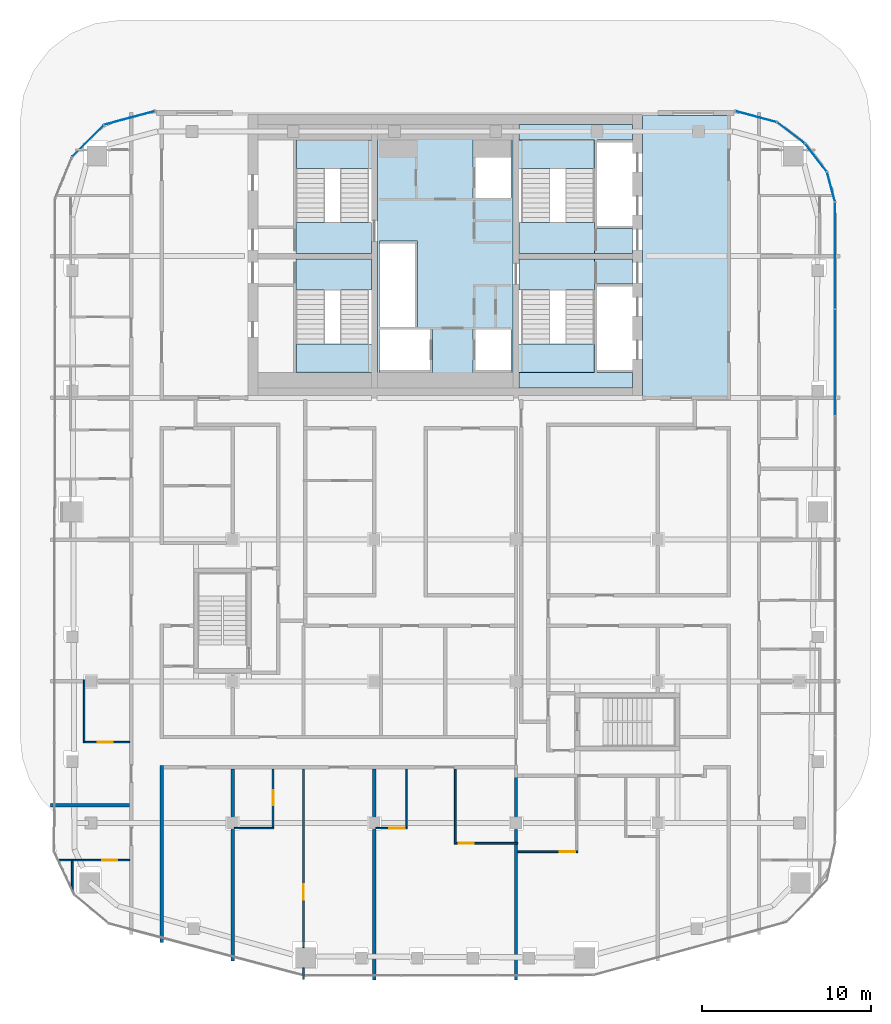
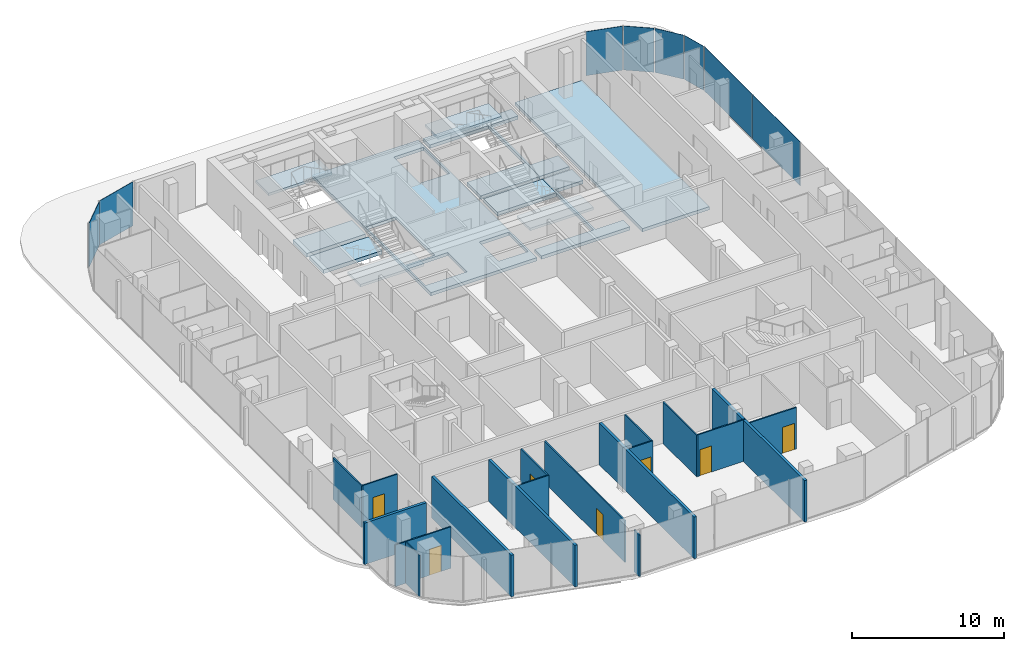
# One storey, part 13 of 21: 18 walls, 12 slabs, 8 plates, 7 doors, 7 openings, 11 elements without a shape of their own.
"""IFC4 building model written with IfcOpenShell, lengths in metres."""

from ifc_helpers import new_model, si_unit, direction, frame, frame_2d, origin, origin_2d, place, context, subcontext, project, spatial, polyline, rectangle, outline, extrude, material, layer, layer_set, type_object, element, fill, aggregate, save


model = new_model("IFC4")

# Units and contexts
model_context = context("Model", 3, precision=1e-05, world=origin(), true_north=direction((0.0, 1.0)))
body_context = subcontext(model_context, "Body", "Model", "MODEL_VIEW")
ifc_project = project(units=[si_unit("LENGTHUNIT", "METRE"), si_unit("AREAUNIT", "SQUARE_METRE"), si_unit("VOLUMEUNIT", "CUBIC_METRE"), si_unit("PLANEANGLEUNIT", "RADIAN"), si_unit("MASSUNIT", "GRAM", prefix="KILO")], contexts=[model_context])

# Site, building, storey
site_placement = place(None, origin())
site = spatial("IfcSite", under=ifc_project, at=site_placement, CompositionType="ELEMENT")
building_placement = place(site_placement, origin())
building = spatial("IfcBuilding", under=site, at=building_placement, Name="Marenta Gate Hotel Tower", CompositionType="ELEMENT")
storey_placement = place(building_placement, frame((0.0, 0.0, 266.89990234375)))
storey = spatial("IfcBuildingStorey", under=building, at=storey_placement, Name="L61", CompositionType="ELEMENT", Elevation=266.89990234375)

# Slabs
ifc_material_1 = material(Name="Concrete C40", Category="concrete")
ifc_layer_1 = layer(ifc_material_1, 0.260009765625)
ifc_layer_set_1 = layer_set([ifc_layer_1], Name="Concrete C40")
slab_type_1 = type_object("IfcSlabType", Name="Core floor slab 260", PredefinedType="FLOOR", material=ifc_layer_set_1)
slab_1_placement = place(storey_placement, frame((0.0, 0.0, -0.260009765625)))
element("IfcSlab", 1, at=slab_1_placement, inside=storey, type_object=slab_type_1, Name="L61-CF-1", PredefinedType="FLOOR", context=body_context, shape_type="SweptSolid", body=[
    extrude(outline(polyline([(11.699951171875, 16.75), (16.800048828125, 16.75), (16.800048828125, 0.0), (11.699951171875, 0.0), (11.699951171875, 16.75)])), origin(), (0.0, 0.0, 1.0), 0.260009765625),
])
slab_2_placement = place(storey_placement, frame((0.0, 0.0, -0.260009765625)))
element("IfcSlab", 2, at=slab_2_placement, inside=storey, type_object=slab_type_1, Name="L61-CF-2", PredefinedType="FLOOR", context=body_context, shape_type="SweptSolid", body=[
    extrude(outline(polyline([(8.85009765625, 6.39990234375), (8.85009765625, 8.10009765625), (8.85009765625, 8.22509765625), (11.10009765625, 8.22509765625), (11.10009765625, 6.75), (9.0, 6.75), (9.0, 6.60009765625), (9.0, 4.199951171875), (9.0, 4.050048828125), (9.0, 1.64990234375), (9.0, 1.5), (11.10009765625, 1.5), (11.10009765625, 0.60009765625), (4.375, 0.60009765625), (4.375, 1.5), (8.85009765625, 1.5), (8.85009765625, 6.39990234375)])), origin(), (0.0, 0.0, 1.0), 0.260009765625),
])
slab_3_placement = place(storey_placement, frame((0.0, 0.0, -0.260009765625)))
element("IfcSlab", 3, at=slab_3_placement, inside=storey, type_object=slab_type_1, Name="L61-CF-3", PredefinedType="FLOOR", context=body_context, shape_type="SweptSolid", body=[
    extrude(outline(polyline([(8.85009765625, 15.300048828125), (4.375, 15.300048828125), (4.375, 16.199951171875), (11.10009765625, 16.199951171875), (11.10009765625, 15.300048828125), (9.0, 15.300048828125), (9.0, 15.14990234375), (9.0, 12.75), (9.0, 12.60009765625), (9.0, 10.199951171875), (9.0, 10.050048828125), (11.10009765625, 10.050048828125), (11.10009765625, 8.574951171875), (8.85009765625, 8.574951171875), (8.85009765625, 8.699951171875), (8.85009765625, 10.39990234375), (8.85009765625, 15.300048828125)])), origin(), (0.0, 0.0, 1.0), 0.260009765625),
])
slab_4_placement = place(storey_placement, frame((0.0, 0.0, -0.260009765625)))
element("IfcSlab", 4, at=slab_4_placement, inside=storey, type_object=slab_type_1, Name="L61-CF-4", PredefinedType="FLOOR", context=body_context, shape_type="SweptSolid", body=[
    extrude(outline(polyline([(4.02490234375, 10.39990234375), (4.02490234375, 6.39990234375), (4.02490234375, 1.5), (4.02490234375, 0.60009765625), (-4.02490234375, 0.60009765625), (-4.02490234375, 1.5), (-4.02490234375, 6.39990234375), (-4.02490234375, 10.39990234375), (-4.02490234375, 15.300048828125), (-4.02490234375, 16.199951171875), (4.02490234375, 16.199951171875), (4.02490234375, 15.300048828125), (4.02490234375, 10.39990234375)]), holes=[polyline([(1.64990234375, 11.85009765625), (1.800048828125, 11.85009765625), (3.89990234375, 11.85009765625), (3.89990234375, 14.25), (3.89990234375, 15.300048828125), (1.64990234375, 15.300048828125), (1.64990234375, 14.25), (1.64990234375, 11.85009765625)]), polyline([(3.89990234375, 4.050048828125), (1.800048828125, 4.050048828125), (1.64990234375, 4.050048828125), (1.64990234375, 1.64990234375), (1.64990234375, 1.5), (3.89990234375, 1.5), (3.89990234375, 1.64990234375), (3.89990234375, 4.050048828125)]), polyline([(-3.89990234375, 1.5), (-0.89990234375, 1.5), (-0.75, 1.5), (-0.75, 4.050048828125), (-0.89990234375, 4.050048828125), (-3.89990234375, 4.050048828125), (-3.89990234375, 1.64990234375), (-3.89990234375, 1.5)]), polyline([(-1.64990234375, 4.199951171875), (-1.64990234375, 9.14990234375), (-1.64990234375, 9.300048828125), (-3.89990234375, 9.300048828125), (-3.89990234375, 9.14990234375), (-3.89990234375, 6.75), (-3.89990234375, 6.60009765625), (-3.89990234375, 4.199951171875), (-1.800048828125, 4.199951171875), (-1.64990234375, 4.199951171875)])]), origin(), (0.0, 0.0, 1.0), 0.260009765625),
])

# Stair, slab
ifc_material_2 = material(Name="Concrete C40", Category="concrete")
stair_type = type_object("IfcStairType", Name="Core exit stair 1700 wide", PredefinedType="HALF_TURN_STAIR", material=ifc_material_2)
stair_1_placement = place(storey_placement, origin())
stair_1 = element("IfcStair", 5, at=stair_1_placement, inside=storey, type_object=stair_type, Name="Exit stair 1", PredefinedType="HALF_TURN_STAIR")
ifc_material_3 = material(Name="Concrete C40", Category="concrete")
ifc_layer_2 = layer(ifc_material_3, 0.199951171875)
ifc_layer_set_2 = layer_set([ifc_layer_2], Name="Concrete C40")
slab_type_2 = type_object("IfcSlabType", Name="Core stair landing 200", PredefinedType="LANDING", material=ifc_layer_set_2)
slab_5_placement = place(storey_placement, frame((0.0, 0.0, 1.60009765625)))
slab_5 = element("IfcSlab", 6, at=slab_5_placement, type_object=slab_type_2, Name="SL-200 ST1 landing 1", PredefinedType="LANDING", context=body_context, shape_type="SweptSolid", body=[
    extrude(outline(polyline([(-8.85009765625, 1.5), (-4.02490234375, 1.5), (-4.02490234375, 3.2099609375), (-8.85009765625, 3.2099609375), (-8.85009765625, 1.5)])), origin(), (0.0, 0.0, 1.0), 0.199951171875),
])
aggregate(stair_1, [slab_5])

stair_2_placement = place(storey_placement, origin())
stair_2 = element("IfcStair", 7, at=stair_2_placement, inside=storey, type_object=stair_type, Name="Exit stair 2", PredefinedType="HALF_TURN_STAIR")
slab_6_placement = place(storey_placement, frame((0.0, 0.0, 1.60009765625)))
slab_6 = element("IfcSlab", 8, at=slab_6_placement, type_object=slab_type_2, Name="SL-200 ST2 landing 1", PredefinedType="LANDING", context=body_context, shape_type="SweptSolid", body=[
    extrude(outline(polyline([(-8.85009765625, 13.590087890625), (-4.02490234375, 13.590087890625), (-4.02490234375, 15.300048828125), (-8.85009765625, 15.300048828125), (-8.85009765625, 13.590087890625)])), origin(), (0.0, 0.0, 1.0), 0.199951171875),
])
aggregate(stair_2, [slab_6])

stair_3_placement = place(storey_placement, origin())
stair_3 = element("IfcStair", 9, at=stair_3_placement, inside=storey, type_object=stair_type, Name="Exit stair 3", PredefinedType="HALF_TURN_STAIR")
slab_7_placement = place(storey_placement, frame((0.0, 0.0, 1.60009765625)))
slab_7 = element("IfcSlab", 10, at=slab_7_placement, type_object=slab_type_2, Name="SL-200 ST3 landing 1", PredefinedType="LANDING", context=body_context, shape_type="SweptSolid", body=[
    extrude(outline(polyline([(4.02490234375, 1.5), (8.85009765625, 1.5), (8.85009765625, 3.2099609375), (4.02490234375, 3.2099609375), (4.02490234375, 1.5)])), origin(), (0.0, 0.0, 1.0), 0.199951171875),
])
aggregate(stair_3, [slab_7])

stair_4_placement = place(storey_placement, origin())
stair_4 = element("IfcStair", 11, at=stair_4_placement, inside=storey, type_object=stair_type, Name="Exit stair 4", PredefinedType="HALF_TURN_STAIR")
slab_8_placement = place(storey_placement, frame((0.0, 0.0, 1.60009765625)))
slab_8 = element("IfcSlab", 12, at=slab_8_placement, type_object=slab_type_2, Name="SL-200 ST4 landing 1", PredefinedType="LANDING", context=body_context, shape_type="SweptSolid", body=[
    extrude(outline(polyline([(4.02490234375, 13.590087890625), (8.85009765625, 13.590087890625), (8.85009765625, 15.300048828125), (4.02490234375, 15.300048828125), (4.02490234375, 13.590087890625)])), origin(), (0.0, 0.0, 1.0), 0.199951171875),
])
aggregate(stair_4, [slab_8])

# Curtain wall, plate
ifc_material_4 = material(Name="Tinted insulated glass in bronze anodised frame", Category="glass")
ifc_layer_3 = layer(ifc_material_4, 0.1201171875)
ifc_layer_set_3 = layer_set([ifc_layer_3], Name="Tinted insulated glass in bronze anodised frame")
curtain_wall_type = type_object("IfcCurtainWallType", Name="Tower unitised curtain wall CW1", PredefinedType="NOTDEFINED", material=ifc_layer_set_3)
curtain_wall_1_placement = place(storey_placement, origin())
curtain_wall_1 = element("IfcCurtainWall", 13, at=curtain_wall_1_placement, inside=storey, type_object=curtain_wall_type, Name="CW1 run G00", PredefinedType="NOTDEFINED")
ifc_material_5 = material(Name="Tinted insulated glass", Category="glass")
ifc_layer_4 = layer(ifc_material_5, 0.028076171875)
ifc_layer_set_4 = layer_set([ifc_layer_4], Name="Tinted insulated glass")
plate_type = type_object("IfcPlateType", Name="Glass panel CW1 28 mm tinted insulated unit", PredefinedType="CURTAIN_PANEL", material=ifc_layer_set_4)
plate_1_placement = place(storey_placement, frame((-18.713623046875, 16.59375, 0.06005859375), z_axis=(0.0, 0.0, 1.0), x_axis=(-0.965930559685, -0.258801379183, 0.0)))
plate_1 = element("IfcPlate", 14, at=plate_1_placement, type_object=plate_type, Name="CW1 panel 1.1", PredefinedType="CURTAIN_PANEL", context=body_context, shape_type="SweptSolid", body=[
    extrude(rectangle(XDim=3.104248046875, YDim=0.028076171875, at=origin_2d()), origin(), (0.0, 0.0, 1.0), 3.5400390625),
])
aggregate(curtain_wall_1, [plate_1])

curtain_wall_2_placement = place(storey_placement, origin())
curtain_wall_2 = element("IfcCurtainWall", 15, at=curtain_wall_2_placement, inside=storey, type_object=curtain_wall_type, Name="CW1 run G01", PredefinedType="NOTDEFINED")
plate_2_placement = place(storey_placement, frame((-21.179443359375, 15.2255859375, 0.06005859375), z_axis=(0.0, 0.0, 1.0), x_axis=(-0.707106781187, -0.707106781187, 0.0)))
plate_2 = element("IfcPlate", 16, at=plate_2_placement, type_object=plate_type, Name="CW1 panel 1.1", PredefinedType="CURTAIN_PANEL", context=body_context, shape_type="SweptSolid", body=[
    extrude(rectangle(XDim=2.614013671875, YDim=0.028076171875, at=origin_2d()), origin(), (0.0, 0.0, 1.0), 3.5400390625),
])
aggregate(curtain_wall_2, [plate_2])

# Curtain wall, plates
curtain_wall_3_placement = place(storey_placement, origin())
curtain_wall_3 = element("IfcCurtainWall", 17, at=curtain_wall_3_placement, inside=storey, type_object=curtain_wall_type, Name="CW1 run G11", PredefinedType="NOTDEFINED")
plate_3_placement = place(storey_placement, frame((23.114013671875, 2.10791015625, 0.06005859375), z_axis=(0.0, 0.0, 1.0), x_axis=(0.0, 1.0, 0.0)))
plate_3 = element("IfcPlate", 18, at=plate_3_placement, type_object=plate_type, Name="CW1 panel 5.1", PredefinedType="CURTAIN_PANEL", context=body_context, shape_type="SweptSolid", body=[
    extrude(rectangle(XDim=6.2626953125, YDim=0.028076171875, at=origin_2d()), origin(), (0.0, 0.0, 1.0), 3.5400390625),
])
plate_4_placement = place(storey_placement, frame((23.114013671875, 8.445556640625, 0.06005859375), z_axis=(0.0, 0.0, 1.0), x_axis=(0.0, 1.0, 0.0)))
plate_4 = element("IfcPlate", 19, at=plate_4_placement, type_object=plate_type, Name="CW1 panel 6.1", PredefinedType="CURTAIN_PANEL", context=body_context, shape_type="SweptSolid", body=[
    extrude(rectangle(XDim=6.29248046875, YDim=0.028076171875, at=origin_2d()), origin(), (0.0, 0.0, 1.0), 3.5400390625),
])
aggregate(curtain_wall_3, [plate_3, plate_4])

# Curtain wall, plate
curtain_wall_4_placement = place(storey_placement, origin())
curtain_wall_4 = element("IfcCurtainWall", 20, at=curtain_wall_4_placement, inside=storey, type_object=curtain_wall_type, Name="CW1 run G12", PredefinedType="NOTDEFINED")
plate_5_placement = place(storey_placement, frame((22.8662109375, 12.51611328125, 0.06005859375), z_axis=(0.0, 0.0, 1.0), x_axis=(-0.258824166754, 0.965924453932, 0.0)))
plate_5 = element("IfcPlate", 21, at=plate_5_placement, type_object=plate_type, Name="CW1 panel 1.1", PredefinedType="CURTAIN_PANEL", context=body_context, shape_type="SweptSolid", body=[
    extrude(rectangle(XDim=1.793701171875, YDim=0.028076171875, at=origin_2d()), origin(), (0.0, 0.0, 1.0), 3.5400390625),
])
aggregate(curtain_wall_4, [plate_5])

curtain_wall_5_placement = place(storey_placement, origin())
curtain_wall_5 = element("IfcCurtainWall", 22, at=curtain_wall_5_placement, inside=storey, type_object=curtain_wall_type, Name="CW1 run G13", PredefinedType="NOTDEFINED")
plate_6_placement = place(storey_placement, frame((21.97509765625, 14.2412109375, 0.06005859375), z_axis=(0.0, 0.0, 1.0), x_axis=(-0.608787499222, 0.793333335233, 0.0)))
plate_6 = element("IfcPlate", 23, at=plate_6_placement, type_object=plate_type, Name="CW1 panel 1.1", PredefinedType="CURTAIN_PANEL", context=body_context, shape_type="SweptSolid", body=[
    extrude(rectangle(XDim=2.045166015625, YDim=0.028076171875, at=origin_2d()), origin(), (0.0, 0.0, 1.0), 3.5400390625),
])
aggregate(curtain_wall_5, [plate_6])

curtain_wall_6_placement = place(storey_placement, origin())
curtain_wall_6 = element("IfcCurtainWall", 24, at=curtain_wall_6_placement, inside=storey, type_object=curtain_wall_type, Name="CW1 run G14", PredefinedType="NOTDEFINED")
plate_7_placement = place(storey_placement, frame((20.493896484375, 15.711669921875, 0.06005859375), z_axis=(0.0, 0.0, 1.0), x_axis=(-0.793333335233, 0.608787499222, 0.0)))
plate_7 = element("IfcPlate", 25, at=plate_7_placement, type_object=plate_type, Name="CW1 panel 1.1", PredefinedType="CURTAIN_PANEL", context=body_context, shape_type="SweptSolid", body=[
    extrude(rectangle(XDim=2.045166015625, YDim=0.028076171875, at=origin_2d()), origin(), (0.0, 0.0, 1.0), 3.5400390625),
])
aggregate(curtain_wall_6, [plate_7])

curtain_wall_7_placement = place(storey_placement, origin())
curtain_wall_7 = element("IfcCurtainWall", 26, at=curtain_wall_7_placement, inside=storey, type_object=curtain_wall_type, Name="CW1 run G15", PredefinedType="NOTDEFINED")
plate_8_placement = place(storey_placement, frame((18.41943359375, 16.672607421875, 0.06005859375), z_axis=(0.0, 0.0, 1.0), x_axis=(-0.96592961764, 0.258804895175, 0.0)))
plate_8 = element("IfcPlate", 27, at=plate_8_placement, type_object=plate_type, Name="CW1 panel 1.1", PredefinedType="CURTAIN_PANEL", context=body_context, shape_type="SweptSolid", body=[
    extrude(rectangle(XDim=2.4951171875, YDim=0.028076171875, at=origin_2d()), origin(), (0.0, 0.0, 1.0), 3.5400390625),
])
aggregate(curtain_wall_7, [plate_8])

# Slabs
ifc_material_6 = material(Name="Concrete C40", Category="concrete")
ifc_layer_5 = layer(ifc_material_6, 0.300048828125)
ifc_layer_set_5 = layer_set([ifc_layer_5], Name="Concrete C40")
slab_type_3 = type_object("IfcSlabType", Name="Stair floor landing slab 300", PredefinedType="FLOOR", material=ifc_layer_set_5)
slab_9_placement = place(storey_placement, frame((0.0, 0.0, -0.2998046875)))
element("IfcSlab", 28, at=slab_9_placement, inside=storey, type_object=slab_type_3, Name="L61-CL-ST1-1", PredefinedType="FLOOR", context=body_context, shape_type="SweptSolid", body=[
    extrude(outline(polyline([(-4.375, 6.39990234375), (-8.85009765625, 6.39990234375), (-8.85009765625, 8.10009765625), (-8.85009765625, 8.22509765625), (-4.375, 8.22509765625), (-4.375, 6.39990234375)])), origin(), (0.0, 0.0, 1.0), 0.2998046875),
])
slab_10_placement = place(storey_placement, frame((0.0, 0.0, -0.2998046875)))
element("IfcSlab", 29, at=slab_10_placement, inside=storey, type_object=slab_type_3, Name="L61-CL-ST2-1", PredefinedType="FLOOR", context=body_context, shape_type="SweptSolid", body=[
    extrude(outline(polyline([(-4.375, 8.574951171875), (-8.85009765625, 8.574951171875), (-8.85009765625, 8.699951171875), (-8.85009765625, 10.39990234375), (-4.375, 10.39990234375), (-4.375, 8.574951171875)])), origin(), (0.0, 0.0, 1.0), 0.2998046875),
])
slab_11_placement = place(storey_placement, frame((0.0, 0.0, -0.2998046875)))
element("IfcSlab", 30, at=slab_11_placement, inside=storey, type_object=slab_type_3, Name="L61-CL-ST3-1", PredefinedType="FLOOR", context=body_context, shape_type="SweptSolid", body=[
    extrude(outline(polyline([(4.375, 6.39990234375), (4.375, 8.22509765625), (8.85009765625, 8.22509765625), (8.85009765625, 8.10009765625), (8.85009765625, 6.39990234375), (4.375, 6.39990234375)])), origin(), (0.0, 0.0, 1.0), 0.2998046875),
])
slab_12_placement = place(storey_placement, frame((0.0, 0.0, -0.2998046875)))
element("IfcSlab", 31, at=slab_12_placement, inside=storey, type_object=slab_type_3, Name="L61-CL-ST4-1", PredefinedType="FLOOR", context=body_context, shape_type="SweptSolid", body=[
    extrude(outline(polyline([(4.375, 8.574951171875), (4.375, 10.39990234375), (8.85009765625, 10.39990234375), (8.85009765625, 8.699951171875), (8.85009765625, 8.574951171875), (4.375, 8.574951171875)])), origin(), (0.0, 0.0, 1.0), 0.2998046875),
])

# Walls
ifc_material_7 = material(Name="Concrete blockwork", Category="masonry")
ifc_layer_6 = layer(ifc_material_7, 0.199951171875)
ifc_layer_set_6 = layer_set([ifc_layer_6], Name="Concrete blockwork")
wall_type_1 = type_object("IfcWallType", Name="Compartment wall 200 REI 180", PredefinedType="PARTITIONING", material=ifc_layer_set_6)
wall_1_placement = place(storey_placement, frame((4.199951171875, -34.5, 0.0), z_axis=(0.0, 0.0, 1.0), x_axis=(0.0, 1.0, 0.0)))
element("IfcWall", 32, at=wall_1_placement, inside=storey, type_object=wall_type_1, Name="L61-PTN-W064", PredefinedType="PARTITIONING", context=body_context, shape_type="SweptSolid", body=[
    extrude(rectangle(XDim=12.199951171875, YDim=0.199951171875, at=frame_2d((6.10009765625, 0.0))), origin(), (0.0, 0.0, 1.0), 3.340087890625),
])
ifc_material_8 = material(Name="Gypsum board on steel stud", Category="steel")
ifc_layer_7 = layer(ifc_material_8, 0.199951171875)
ifc_layer_set_7 = layer_set([ifc_layer_7], Name="Gypsum board on steel stud")
wall_type_2 = type_object("IfcWallType", Name="Room corridor wall 200 EI 60", PredefinedType="PARTITIONING", material=ifc_layer_set_7)
wall_2_placement = place(storey_placement, frame((-16.800048828125, -32.27099609375, 0.0), z_axis=(0.0, 0.0, 1.0), x_axis=(0.0, 1.0, 0.0)))
element("IfcWall", 33, at=wall_2_placement, inside=storey, type_object=wall_type_2, Name="L61-PTN-W108", PredefinedType="PARTITIONING", context=body_context, shape_type="SweptSolid", body=[
    extrude(rectangle(XDim=10.470947265625, YDim=0.199951171875, at=frame_2d((5.2353515625, 0.0))), origin(), (0.0, 0.0, 1.0), 3.340087890625),
])

# Wall, opening, door
ifc_material_9 = material(Name="Gypsum board on steel stud", Category="steel")
ifc_layer_8 = layer(ifc_material_9, 0.10009765625)
ifc_layer_set_8 = layer_set([ifc_layer_8], Name="Gypsum board on steel stud")
wall_type_3 = type_object("IfcWallType", Name="Room partition 100", PredefinedType="PARTITIONING", material=ifc_layer_set_8)
wall_3_placement = place(storey_placement, frame((-22.908935546875, -27.39404296875, 0.0), z_axis=(0.0, 0.0, 1.0), x_axis=(1.0, 0.0, 0.0)))
wall_3 = element("IfcWall", 34, at=wall_3_placement, inside=storey, type_object=wall_type_3, Name="L61-PTN-W002", PredefinedType="PARTITIONING", context=body_context, shape_type="SweptSolid", body=[
    extrude(rectangle(XDim=4.208984375, YDim=0.10009765625, at=frame_2d((2.1044921875, 0.0))), origin(), (0.0, 0.0, 1.0), 3.340087890625),
])
opening_1_placement = place(wall_3_placement, frame((2.583984375, 0.0, 0.0)))
opening_1 = element("IfcOpeningElement", 35, at=opening_1_placement, cuts=wall_3, Name="Opening G22-40", PredefinedType="OPENING", context=body_context, shape_type="SweptSolid", body=[
    extrude(rectangle(XDim=0.89990234375, YDim=2.10009765625, at=frame_2d((0.449951171875, 1.050048828125))), frame((0.0, 0.050048828125, 0.0), z_axis=(0.0, -1.0, 0.0), x_axis=(1.0, 0.0, 0.0)), (0.0, 0.0, 1.0), 0.10009765625),
])
ifc_material_10 = material(Name="Timber door leaf", Category="wood")
door_type_1 = type_object("IfcDoorType", Name="Guest bathroom door 900x2100", OperationType="NOTDEFINED", PredefinedType="DOOR", material=ifc_material_10)
door_1_placement = place(opening_1_placement, origin())
door_1 = element("IfcDoor", 36, at=door_1_placement, inside=storey, type_object=door_type_1, Name="L61-PD-D040", OperationType="SINGLE_SWING_RIGHT", OverallHeight=2.10009765625, OverallWidth=0.89990234375, PredefinedType="DOOR", context=body_context, shape_type="SweptSolid", body=[
    extrude(rectangle(XDim=0.89990234375, YDim=2.10009765625, at=frame_2d((0.449951171875, 1.050048828125))), frame((0.0, 0.02490234375, 0.0), z_axis=(0.0, -1.0, 0.0), x_axis=(1.0, 0.0, 0.0)), (0.0, 0.0, 1.0), 0.050048828125),
])
fill(opening_1, door_1)

wall_4_placement = place(storey_placement, frame((4.300048828125, -26.89990234375, 0.0), z_axis=(0.0, 0.0, 1.0), x_axis=(1.0, 0.0, 0.0)))
wall_4 = element("IfcWall", 37, at=wall_4_placement, inside=storey, type_object=wall_type_3, Name="L61-PTN-W004", PredefinedType="PARTITIONING", context=body_context, shape_type="SweptSolid", body=[
    extrude(rectangle(XDim=3.550048828125, YDim=0.10009765625, at=frame_2d((1.77490234375, 0.0))), origin(), (0.0, 0.0, 1.0), 3.340087890625),
])
opening_2_placement = place(wall_4_placement, frame((2.5, 0.0, 0.0)))
opening_2 = element("IfcOpeningElement", 38, at=opening_2_placement, cuts=wall_4, Name="Opening G22-36", PredefinedType="OPENING", context=body_context, shape_type="SweptSolid", body=[
    extrude(rectangle(XDim=0.89990234375, YDim=2.10009765625, at=frame_2d((0.449951171875, 1.050048828125))), frame((0.0, 0.050048828125, 0.0), z_axis=(0.0, -1.0, 0.0), x_axis=(1.0, 0.0, 0.0)), (0.0, 0.0, 1.0), 0.10009765625),
])
door_2_placement = place(opening_2_placement, origin())
door_2 = element("IfcDoor", 39, at=door_2_placement, inside=storey, type_object=door_type_1, Name="L61-PD-D036", OperationType="SINGLE_SWING_RIGHT", OverallHeight=2.10009765625, OverallWidth=0.89990234375, PredefinedType="DOOR", context=body_context, shape_type="SweptSolid", body=[
    extrude(rectangle(XDim=0.89990234375, YDim=2.10009765625, at=frame_2d((0.449951171875, 1.050048828125))), frame((0.0, 0.02490234375, 0.0), z_axis=(0.0, -1.0, 0.0), x_axis=(1.0, 0.0, 0.0)), (0.0, 0.0, 1.0), 0.050048828125),
])
fill(opening_2, door_2)

wall_5_placement = place(storey_placement, frame((0.64990234375, -26.39990234375, 0.0), z_axis=(0.0, 0.0, 1.0), x_axis=(1.0, 0.0, 0.0)))
wall_5 = element("IfcWall", 40, at=wall_5_placement, inside=storey, type_object=wall_type_3, Name="L61-PTN-W005", PredefinedType="PARTITIONING", context=body_context, shape_type="SweptSolid", body=[
    extrude(rectangle(XDim=3.650146484375, YDim=0.10009765625, at=frame_2d((1.8251953125, 0.0))), origin(), (0.0, 0.0, 1.0), 3.340087890625),
])
opening_3_placement = place(wall_5_placement, frame((0.14990234375, 0.0, 0.0)))
opening_3 = element("IfcOpeningElement", 41, at=opening_3_placement, cuts=wall_5, Name="Opening G22-33", PredefinedType="OPENING", context=body_context, shape_type="SweptSolid", body=[
    extrude(rectangle(XDim=0.89990234375, YDim=2.10009765625, at=frame_2d((0.449951171875, 1.050048828125))), frame((0.0, 0.050048828125, 0.0), z_axis=(0.0, -1.0, 0.0), x_axis=(1.0, 0.0, 0.0)), (0.0, 0.0, 1.0), 0.10009765625),
])
door_3_placement = place(opening_3_placement, origin())
door_3 = element("IfcDoor", 42, at=door_3_placement, inside=storey, type_object=door_type_1, Name="L61-PD-D033", OperationType="SINGLE_SWING_LEFT", OverallHeight=2.10009765625, OverallWidth=0.89990234375, PredefinedType="DOOR", context=body_context, shape_type="SweptSolid", body=[
    extrude(rectangle(XDim=0.89990234375, YDim=2.10009765625, at=frame_2d((0.449951171875, 1.050048828125))), frame((0.0, 0.02490234375, 0.0), z_axis=(0.0, -1.0, 0.0), x_axis=(1.0, 0.0, 0.0)), (0.0, 0.0, 1.0), 0.050048828125),
])
fill(opening_3, door_3)

# Wall
wall_6_placement = place(storey_placement, frame((-12.5, -25.5, 0.0), z_axis=(0.0, 0.0, 1.0), x_axis=(1.0, 0.0, 0.0)))
element("IfcWall", 43, at=wall_6_placement, inside=storey, type_object=wall_type_3, Name="L61-PTN-W007", PredefinedType="PARTITIONING", context=body_context, shape_type="SweptSolid", body=[
    extrude(rectangle(XDim=2.35009765625, YDim=0.10009765625, at=frame_2d((1.175048828125, 0.0))), origin(), (0.0, 0.0, 1.0), 3.340087890625),
])

# Wall, opening, door
wall_7_placement = place(storey_placement, frame((-4.10009765625, -25.5, 0.0), z_axis=(0.0, 0.0, 1.0), x_axis=(1.0, 0.0, 0.0)))
wall_7 = element("IfcWall", 44, at=wall_7_placement, inside=storey, type_object=wall_type_3, Name="L61-PTN-W008", PredefinedType="PARTITIONING", context=body_context, shape_type="SweptSolid", body=[
    extrude(rectangle(XDim=1.85009765625, YDim=0.10009765625, at=frame_2d((0.925048828125, 0.0))), origin(), (0.0, 0.0, 1.0), 3.340087890625),
])
opening_4_placement = place(wall_7_placement, frame((0.800048828125, 0.0, 0.0)))
opening_4 = element("IfcOpeningElement", 45, at=opening_4_placement, cuts=wall_7, Name="Opening G22-34", PredefinedType="OPENING", context=body_context, shape_type="SweptSolid", body=[
    extrude(rectangle(XDim=0.89990234375, YDim=2.10009765625, at=frame_2d((0.449951171875, 1.050048828125))), frame((0.0, 0.050048828125, 0.0), z_axis=(0.0, -1.0, 0.0), x_axis=(1.0, 0.0, 0.0)), (0.0, 0.0, 1.0), 0.10009765625),
])
ifc_material_11 = material(Name="Timber door leaf", Category="wood")
door_type_2 = type_object("IfcDoorType", Name="Room inner door 900x2100", OperationType="NOTDEFINED", PredefinedType="DOOR", material=ifc_material_11)
door_4_placement = place(opening_4_placement, origin())
door_4 = element("IfcDoor", 46, at=door_4_placement, inside=storey, type_object=door_type_2, Name="L61-PD-D034", OperationType="SINGLE_SWING_RIGHT", OverallHeight=2.10009765625, OverallWidth=0.89990234375, PredefinedType="DOOR", context=body_context, shape_type="SweptSolid", body=[
    extrude(rectangle(XDim=0.89990234375, YDim=2.10009765625, at=frame_2d((0.449951171875, 1.050048828125))), frame((0.0, 0.02490234375, 0.0), z_axis=(0.0, -1.0, 0.0), x_axis=(1.0, 0.0, 0.0)), (0.0, 0.0, 1.0), 0.050048828125),
])
fill(opening_4, door_4)

wall_8_placement = place(storey_placement, frame((-21.35009765625, -20.39990234375, 0.0), z_axis=(0.0, 0.0, 1.0), x_axis=(1.0, 0.0, 0.0)))
wall_8 = element("IfcWall", 47, at=wall_8_placement, inside=storey, type_object=wall_type_3, Name="L61-PTN-W021", PredefinedType="PARTITIONING", context=body_context, shape_type="SweptSolid", body=[
    extrude(rectangle(XDim=2.650146484375, YDim=0.10009765625, at=frame_2d((1.3251953125, 0.0))), origin(), (0.0, 0.0, 1.0), 3.340087890625),
])
opening_5_placement = place(wall_8_placement, frame((0.760009765625, 0.0, 0.0)))
opening_5 = element("IfcOpeningElement", 48, at=opening_5_placement, cuts=wall_8, Name="Opening G22-42", PredefinedType="OPENING", context=body_context, shape_type="SweptSolid", body=[
    extrude(rectangle(XDim=0.89990234375, YDim=2.10009765625, at=frame_2d((0.449951171875, 1.050048828125))), frame((0.0, 0.050048828125, 0.0), z_axis=(0.0, -1.0, 0.0), x_axis=(1.0, 0.0, 0.0)), (0.0, 0.0, 1.0), 0.10009765625),
])
door_5_placement = place(opening_5_placement, origin())
door_5 = element("IfcDoor", 49, at=door_5_placement, inside=storey, type_object=door_type_1, Name="L61-PD-D042", OperationType="SINGLE_SWING_LEFT", OverallHeight=2.10009765625, OverallWidth=0.89990234375, PredefinedType="DOOR", context=body_context, shape_type="SweptSolid", body=[
    extrude(rectangle(XDim=0.89990234375, YDim=2.10009765625, at=frame_2d((0.449951171875, 1.050048828125))), frame((0.0, 0.02490234375, 0.0), z_axis=(0.0, -1.0, 0.0), x_axis=(1.0, 0.0, 0.0)), (0.0, 0.0, 1.0), 0.050048828125),
])
fill(opening_5, door_5)

# Walls
wall_9_placement = place(storey_placement, frame((0.60009765625, -26.449951171875, 0.0), z_axis=(0.0, 0.0, 1.0), x_axis=(0.0, 1.0, 0.0)))
element("IfcWall", 50, at=wall_9_placement, inside=storey, type_object=wall_type_3, Name="L61-PTN-W078", PredefinedType="PARTITIONING", context=body_context, shape_type="SweptSolid", body=[
    extrude(rectangle(XDim=4.449951171875, YDim=0.10009765625, at=frame_2d((2.22509765625, 0.0))), origin(), (0.0, 0.0, 1.0), 3.340087890625),
])
wall_10_placement = place(storey_placement, frame((-2.300048828125, -25.449951171875, 0.0), z_axis=(0.0, 0.0, 1.0), x_axis=(0.0, 1.0, 0.0)))
element("IfcWall", 51, at=wall_10_placement, inside=storey, type_object=wall_type_3, Name="L61-PTN-W084", PredefinedType="PARTITIONING", context=body_context, shape_type="SweptSolid", body=[
    extrude(rectangle(XDim=3.449951171875, YDim=0.10009765625, at=frame_2d((1.72509765625, 0.0))), origin(), (0.0, 0.0, 1.0), 3.340087890625),
])
wall_11_placement = place(storey_placement, frame((-8.39990234375, -34.466064453125, 0.0), z_axis=(0.0, 0.0, 1.0), x_axis=(0.0, 1.0, 0.0)))
element("IfcWall", 52, at=wall_11_placement, inside=storey, type_object=wall_type_3, Name="L61-PTN-W093", PredefinedType="PARTITIONING", context=body_context, shape_type="SweptSolid", body=[
    extrude(rectangle(XDim=0.691162109375, YDim=0.10009765625, at=frame_2d((0.345703125, 0.0))), origin(), (0.0, 0.0, 1.0), 3.340087890625),
])

# Wall, opening, door
wall_12_placement = place(storey_placement, frame((-8.39990234375, -32.574951171875, 0.0), z_axis=(0.0, 0.0, 1.0), x_axis=(0.0, 1.0, 0.0)))
wall_12 = element("IfcWall", 53, at=wall_12_placement, inside=storey, type_object=wall_type_3, Name="L61-PTN-W117", PredefinedType="PARTITIONING", context=body_context, shape_type="SweptSolid", body=[
    extrude(rectangle(XDim=10.574951171875, YDim=0.10009765625, at=frame_2d((5.28759765625, 0.0))), origin(), (0.0, 0.0, 1.0), 3.340087890625),
])
opening_6_placement = place(wall_12_placement, frame((2.844970703125, 0.0, 0.0)))
opening_6 = element("IfcOpeningElement", 54, at=opening_6_placement, cuts=wall_12, Name="Opening G22-30", PredefinedType="OPENING", context=body_context, shape_type="SweptSolid", body=[
    extrude(rectangle(XDim=0.89990234375, YDim=2.10009765625, at=frame_2d((0.449951171875, 1.050048828125))), frame((0.0, 0.050048828125, 0.0), z_axis=(0.0, -1.0, 0.0), x_axis=(1.0, 0.0, 0.0)), (0.0, 0.0, 1.0), 0.10009765625),
])
door_6_placement = place(opening_6_placement, origin())
door_6 = element("IfcDoor", 55, at=door_6_placement, inside=storey, type_object=door_type_2, Name="L61-PD-D030", OperationType="SINGLE_SWING_LEFT", OverallHeight=2.10009765625, OverallWidth=0.89990234375, PredefinedType="DOOR", context=body_context, shape_type="SweptSolid", body=[
    extrude(rectangle(XDim=0.89990234375, YDim=2.10009765625, at=frame_2d((0.449951171875, 1.050048828125))), frame((0.0, 0.02490234375, 0.0), z_axis=(0.0, -1.0, 0.0), x_axis=(1.0, 0.0, 0.0)), (0.0, 0.0, 1.0), 0.050048828125),
])
fill(opening_6, door_6)

wall_13_placement = place(storey_placement, frame((-10.199951171875, -25.449951171875, 0.0), z_axis=(0.0, 0.0, 1.0), x_axis=(0.0, 1.0, 0.0)))
wall_13 = element("IfcWall", 56, at=wall_13_placement, inside=storey, type_object=wall_type_3, Name="L61-PTN-W099", PredefinedType="PARTITIONING", context=body_context, shape_type="SweptSolid", body=[
    extrude(rectangle(XDim=3.449951171875, YDim=0.10009765625, at=frame_2d((1.72509765625, 0.0))), origin(), (0.0, 0.0, 1.0), 3.340087890625),
])
opening_7_placement = place(wall_13_placement, frame((1.300048828125, 0.0, 0.0)))
opening_7 = element("IfcOpeningElement", 57, at=opening_7_placement, cuts=wall_13, Name="Opening G22-31", PredefinedType="OPENING", context=body_context, shape_type="SweptSolid", body=[
    extrude(rectangle(XDim=0.89990234375, YDim=2.10009765625, at=frame_2d((0.449951171875, 1.050048828125))), frame((0.0, 0.050048828125, 0.0), z_axis=(0.0, -1.0, 0.0), x_axis=(1.0, 0.0, 0.0)), (0.0, 0.0, 1.0), 0.10009765625),
])
door_7_placement = place(opening_7_placement, origin())
door_7 = element("IfcDoor", 58, at=door_7_placement, inside=storey, type_object=door_type_1, Name="L61-PD-D031", OperationType="SINGLE_SWING_RIGHT", OverallHeight=2.10009765625, OverallWidth=0.89990234375, PredefinedType="DOOR", context=body_context, shape_type="SweptSolid", body=[
    extrude(rectangle(XDim=0.89990234375, YDim=2.10009765625, at=frame_2d((0.449951171875, 1.050048828125))), frame((0.0, 0.02490234375, 0.0), z_axis=(0.0, -1.0, 0.0), x_axis=(1.0, 0.0, 0.0)), (0.0, 0.0, 1.0), 0.050048828125),
])
fill(opening_7, door_7)

# Walls
wall_14_placement = place(storey_placement, frame((-21.39990234375, -20.449951171875, 0.0), z_axis=(0.0, 0.0, 1.0), x_axis=(0.0, 1.0, 0.0)))
element("IfcWall", 59, at=wall_14_placement, inside=storey, type_object=wall_type_3, Name="L61-PTN-W112", PredefinedType="PARTITIONING", context=body_context, shape_type="SweptSolid", body=[
    extrude(rectangle(XDim=3.75, YDim=0.10009765625, at=frame_2d((1.875, 0.0))), origin(), (0.0, 0.0, 1.0), 3.340087890625),
])
wall_15_placement = place(storey_placement, frame((-22.10009765625, -29.240966796875, 0.0), z_axis=(0.0, 0.0, 1.0), x_axis=(0.0, 1.0, 0.0)))
element("IfcWall", 60, at=wall_15_placement, inside=storey, type_object=wall_type_3, Name="L61-PTN-W113", PredefinedType="PARTITIONING", context=body_context, shape_type="SweptSolid", body=[
    extrude(rectangle(XDim=1.796875, YDim=0.10009765625, at=frame_2d((0.8984375, 0.0))), origin(), (0.0, 0.0, 1.0), 3.340087890625),
])
ifc_material_12 = material(Name="Gypsum board on steel stud", Category="steel")
ifc_layer_9 = layer(ifc_material_12, 0.199951171875)
ifc_layer_set_9 = layer_set([ifc_layer_9], Name="Gypsum board on steel stud")
wall_type_4 = type_object("IfcWallType", Name="Room party wall 200 EI 60", PredefinedType="PARTITIONING", material=ifc_layer_set_9)
wall_16_placement = place(storey_placement, frame((-23.39990234375, -24.14697265625, 0.0), z_axis=(0.0, 0.0, 1.0), x_axis=(1.0, 0.0, 0.0)))
element("IfcWall", 61, at=wall_16_placement, inside=storey, type_object=wall_type_4, Name="L61-PTN-W009", PredefinedType="PARTITIONING", context=body_context, shape_type="SweptSolid", body=[
    extrude(rectangle(XDim=4.699951171875, YDim=0.199951171875, at=frame_2d((2.35009765625, 0.0))), origin(), (0.0, 0.0, 1.0), 3.340087890625),
])
wall_17_placement = place(storey_placement, frame((-4.199951171875, -34.5, 0.0), z_axis=(0.0, 0.0, 1.0), x_axis=(0.0, 1.0, 0.0)))
element("IfcWall", 62, at=wall_17_placement, inside=storey, type_object=wall_type_4, Name="L61-PTN-W086", PredefinedType="PARTITIONING", context=body_context, shape_type="SweptSolid", body=[
    extrude(rectangle(XDim=12.5, YDim=0.199951171875, at=frame_2d((6.25, 0.0))), origin(), (0.0, 0.0, 1.0), 3.340087890625),
])
wall_18_placement = place(storey_placement, frame((-12.60009765625, -33.385986328125, 0.0), z_axis=(0.0, 0.0, 1.0), x_axis=(0.0, 1.0, 0.0)))
element("IfcWall", 63, at=wall_18_placement, inside=storey, type_object=wall_type_4, Name="L61-PTN-W102", PredefinedType="PARTITIONING", context=body_context, shape_type="SweptSolid", body=[
    extrude(rectangle(XDim=11.385986328125, YDim=0.199951171875, at=frame_2d((5.69287109375, 0.0))), origin(), (0.0, 0.0, 1.0), 3.340087890625),
])

save(model, "model.ifc")
